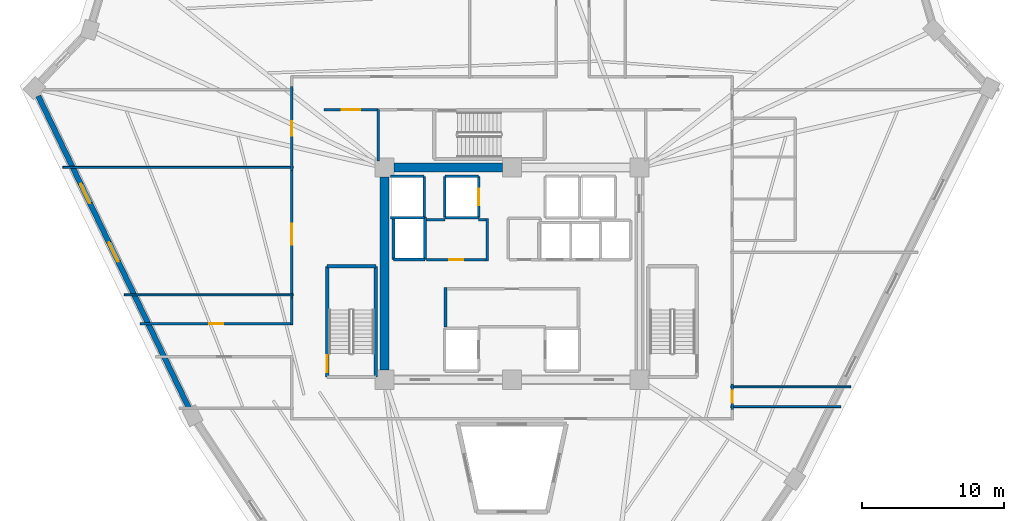
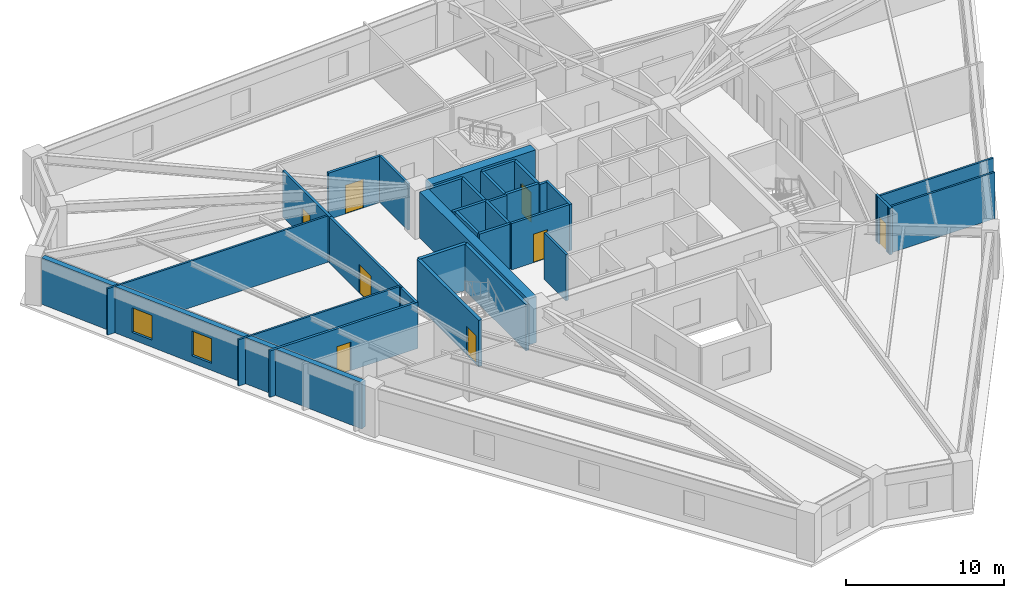
# One storey, part 4 of 8: 32 walls, 8 doors, 2 windows, 10 openings.
"""IFC4 building model written with IfcOpenShell, lengths in metres."""

from ifc_helpers import new_model, si_unit, direction, frame, frame_2d, origin, place, context, subcontext, project, spatial, rectangle, extrude, source, transform, mapped, material, layer, layer_set, type_object, element, fill, save


model = new_model("IFC4")

# Units and contexts
model_context = context("Model", 3, precision=1e-05, world=origin(), true_north=direction((0.0, 1.0)))
body_context = subcontext(model_context, "Body", "Model", "MODEL_VIEW")
ifc_project = project(units=[si_unit("LENGTHUNIT", "METRE"), si_unit("AREAUNIT", "SQUARE_METRE"), si_unit("VOLUMEUNIT", "CUBIC_METRE"), si_unit("PLANEANGLEUNIT", "RADIAN"), si_unit("MASSUNIT", "GRAM", prefix="KILO")], contexts=[model_context])

# Site, building, storey
site_placement = place(None, origin())
site = spatial("IfcSite", under=ifc_project, at=site_placement, CompositionType="ELEMENT")
building_placement = place(site_placement, origin())
building = spatial("IfcBuilding", under=site, at=building_placement, Name="Liaohun Quay Tower", CompositionType="ELEMENT")
storey_placement = place(building_placement, frame((0.0, 0.0, 201.75)))
storey = spatial("IfcBuildingStorey", under=building, at=storey_placement, Name="L52", CompositionType="ELEMENT", Elevation=201.75)

# Walls
ifc_material_1 = material(Name="Concrete C55", Category="concrete")
ifc_layer_1 = layer(ifc_material_1, 0.64990234375, Name="Concrete C55", Category="concrete")
ifc_layer_set_1 = layer_set([ifc_layer_1], Name="Concrete C55")
wall_type_1 = type_object("IfcWallType", Name="WAL-COR-Z3", PredefinedType="SHEAR", material=ifc_layer_set_1)
wall_1_placement = place(storey_placement, frame((51.675048828125, 61.5, 0.0), z_axis=(0.0, 0.0, 1.0), x_axis=(1.0, 0.0, 0.0)))
element("IfcWall", 1, at=wall_1_placement, inside=storey, type_object=wall_type_1, Name="L52 Central Core Shear Wall N-W", PredefinedType="SHEAR", context=body_context, shape_type="SweptSolid", body=[
    extrude(rectangle(XDim=7.64990234375, YDim=0.64990234375, at=frame_2d((3.824951171875, 0.0))), origin(), (0.0, 0.0, 1.0), 3.570068359375),
])
wall_2_placement = place(storey_placement, frame((51.0, 47.175048828125, 0.0), z_axis=(0.0, 0.0, 1.0), x_axis=(0.0, 1.0, 0.0)))
element("IfcWall", 2, at=wall_2_placement, inside=storey, type_object=wall_type_1, Name="L52 Central Core Shear Wall W", PredefinedType="SHEAR", context=body_context, shape_type="SweptSolid", body=[
    extrude(rectangle(XDim=13.64990234375, YDim=0.64990234375, at=frame_2d((6.824951171875, 0.0))), origin(), (0.0, 0.0, 1.0), 3.570068359375),
])

# Wall, openings, windows
ifc_material_2 = material(Name="Precast concrete C50 insulated sandwich", Category="concrete")
ifc_layer_2 = layer(ifc_material_2, 0.3798828125, Name="Precast concrete C50 insulated sandwich", Category="concrete")
ifc_layer_set_2 = layer_set([ifc_layer_2], Name="Precast concrete C50 insulated sandwich")
wall_type_2 = type_object("IfcWallType", Name="WAL-EXT-Z34", PredefinedType="SOLIDWALL", material=ifc_layer_set_2)
wall_3_placement = place(storey_placement, frame((26.52587890625, 66.549072265625, 0.0), z_axis=(0.0, 0.0, 1.0), x_axis=(0.434865153575, -0.900495584779, 0.0)))
wall_3 = element("IfcWall", 3, at=wall_3_placement, inside=storey, type_object=wall_type_2, Name="L52 Brutalist Precast Pier Wall 10", PredefinedType="SOLIDWALL", context=body_context, shape_type="SweptSolid", body=[
    extrude(rectangle(XDim=24.46533203125, YDim=0.3798828125, at=frame_2d((12.232666015625, 0.0))), origin(), (0.0, 0.0, 1.0), 3.570068359375),
])
shared_shape_1 = source(origin(), body_context, "Body", "SweptSolid", [
    extrude(rectangle(XDim=1.5, YDim=1.89990234375, at=frame_2d((0.75, 0.949951171875))), frame((0.0, 0.199951171875, 0.0), z_axis=(0.0, -1.0, 0.0), x_axis=(1.0, 0.0, 0.0)), (0.0, 0.0, 1.0), 0.39990234375),
])
opening_1_placement = place(wall_3_placement, frame((6.916015625, 0.0, 0.550048828125)))
opening_1 = element("IfcOpeningElement", 4, at=opening_1_placement, cuts=wall_3, Name="Opening W03", PredefinedType="OPENING", context=body_context, shape_type="MappedRepresentation", body=[
    mapped(shared_shape_1, transform((0.0, 0.0, 0.0), x_axis=(1.0, 0.0, 0.0), y_axis=(0.0, 1.0, 0.0), z_axis=(0.0, 0.0, 1.0), scale=1.0)),
])
opening_2_placement = place(wall_3_placement, frame((11.48291015625, 0.0, 0.550048828125)))
opening_2 = element("IfcOpeningElement", 5, at=opening_2_placement, cuts=wall_3, Name="Opening W03", PredefinedType="OPENING", context=body_context, shape_type="MappedRepresentation", body=[
    mapped(shared_shape_1, transform((0.0, 0.0, 0.0), x_axis=(1.0, 0.0, 0.0), y_axis=(0.0, 1.0, 0.0), z_axis=(0.0, 0.0, 1.0), scale=1.0)),
])
ifc_material_3 = material(Name="Triple Low-E argon glazing in thermally broken aluminium", Category="aluminium")
window_type = type_object("IfcWindowType", Name="WIN-PUN-Z3", PartitioningType="DOUBLE_PANEL_VERTICAL", PredefinedType="WINDOW", material=ifc_material_3)
shared_shape_2 = source(origin(), body_context, "Body", "SweptSolid", [
    extrude(rectangle(XDim=1.5, YDim=1.89990234375, at=frame_2d((0.75, 0.949951171875))), frame((0.0, 0.030029296875, 0.0), z_axis=(0.0, -1.0, 0.0), x_axis=(1.0, 0.0, 0.0)), (0.0, 0.0, 1.0), 0.06005859375),
])
window_1_placement = place(opening_1_placement, origin())
window_1 = element("IfcWindow", 6, at=window_1_placement, inside=storey, type_object=window_type, Name="L52 Recessed Cold-Climate Punched Window 10-1", OverallHeight=1.89990234375, OverallWidth=1.5, PartitioningType="DOUBLE_PANEL_VERTICAL", PredefinedType="WINDOW", context=body_context, shape_type="MappedRepresentation", body=[
    mapped(shared_shape_2, transform((0.0, 0.0, 0.0), x_axis=(1.0, 0.0, 0.0), y_axis=(0.0, 1.0, 0.0), z_axis=(0.0, 0.0, 1.0), scale=1.0)),
])
fill(opening_1, window_1)
window_2_placement = place(opening_2_placement, origin())
window_2 = element("IfcWindow", 7, at=window_2_placement, inside=storey, type_object=window_type, Name="L52 Recessed Cold-Climate Punched Window 10-2", OverallHeight=1.89990234375, OverallWidth=1.5, PartitioningType="DOUBLE_PANEL_VERTICAL", PredefinedType="WINDOW", context=body_context, shape_type="MappedRepresentation", body=[
    mapped(shared_shape_2, transform((0.0, 0.0, 0.0), x_axis=(1.0, 0.0, 0.0), y_axis=(0.0, 1.0, 0.0), z_axis=(0.0, 0.0, 1.0), scale=1.0)),
])
fill(opening_2, window_2)

# Wall, opening, door
ifc_material_4 = material(Name="Autoclaved aerated concrete blockwork", Category="masonry")
ifc_layer_3 = layer(ifc_material_4, 0.179931640625, Name="Autoclaved aerated concrete blockwork", Category="masonry")
ifc_layer_set_3 = layer_set([ifc_layer_3], Name="Autoclaved aerated concrete blockwork")
wall_type_3 = type_object("IfcWallType", Name="WAL-PRT-COR", PredefinedType="PARTITIONING", material=ifc_layer_set_3)
wall_4_placement = place(storey_placement, frame((53.949951171875, 54.97998046875, 0.0), z_axis=(0.0, 0.0, 1.0), x_axis=(1.0, 0.0, 0.0)))
wall_4 = element("IfcWall", 8, at=wall_4_placement, inside=storey, type_object=wall_type_3, Name="L52 Interior Partition Wall 002", PredefinedType="PARTITIONING", context=body_context, shape_type="SweptSolid", body=[
    extrude(rectangle(XDim=4.2099609375, YDim=0.179931640625, at=frame_2d((2.10498046875, 0.0))), origin(), (0.0, 0.0, 1.0), 3.570068359375),
])
shared_shape_3 = source(origin(), body_context, "Body", "SweptSolid", [
    extrude(rectangle(XDim=1.0, YDim=2.199951171875, at=frame_2d((0.5, 1.10009765625))), frame((0.0, 0.099853515625, 0.0), z_axis=(0.0, -1.0, 0.0), x_axis=(1.0, 0.0, 0.0)), (0.0, 0.0, 1.0), 0.199951171875),
])
opening_3_placement = place(wall_4_placement, frame((1.60009765625, 0.0, 0.0)))
opening_3 = element("IfcOpeningElement", 9, at=opening_3_placement, cuts=wall_4, Name="Opening OD1", PredefinedType="OPENING", context=body_context, shape_type="MappedRepresentation", body=[
    mapped(shared_shape_3, transform((0.0, 0.0, 0.0), x_axis=(1.0, 0.0, 0.0), y_axis=(0.0, 1.0, 0.0), z_axis=(0.0, 0.0, 1.0), scale=1.0)),
])
ifc_material_5 = material(Name="Solid-core oak veneer timber leaf in steel frame", Category="steel")
door_type_1 = type_object("IfcDoorType", Name="DOR-OFF-1000", OperationType="NOTDEFINED", PredefinedType="DOOR", material=ifc_material_5)
shared_shape_4 = source(origin(), body_context, "Body", "SweptSolid", [
    extrude(rectangle(XDim=1.0, YDim=2.199951171875, at=frame_2d((0.5, 1.10009765625))), frame((0.0, 0.02490234375, 0.0), z_axis=(0.0, -1.0, 0.0), x_axis=(1.0, 0.0, 0.0)), (0.0, 0.0, 1.0), 0.050048828125),
])
door_1_placement = place(opening_3_placement, origin())
door_1 = element("IfcDoor", 10, at=door_1_placement, inside=storey, type_object=door_type_1, Name="L52 Core Staff Pantry and Tea Room Door", OperationType="SINGLE_SWING_LEFT", OverallHeight=2.199951171875, OverallWidth=1.0, PredefinedType="DOOR", context=body_context, shape_type="MappedRepresentation", body=[
    mapped(shared_shape_4, transform((0.0, 0.0, 0.0), x_axis=(1.0, 0.0, 0.0), y_axis=(0.0, 1.0, 0.0), z_axis=(0.0, 0.0, 1.0), scale=1.0)),
])
fill(opening_3, door_1)

wall_5_placement = place(storey_placement, frame((46.699951171875, 65.580078125, 0.0), z_axis=(0.0, 0.0, 1.0), x_axis=(1.0, 0.0, 0.0)))
wall_5 = element("IfcWall", 11, at=wall_5_placement, inside=storey, type_object=wall_type_3, Name="L52 Interior Partition Wall 009", PredefinedType="PARTITIONING", context=body_context, shape_type="SweptSolid", body=[
    extrude(rectangle(XDim=3.840087890625, YDim=0.179931640625, at=frame_2d((1.919921875, 0.0))), origin(), (0.0, 0.0, 1.0), 3.570068359375),
])
shared_shape_5 = source(origin(), body_context, "Body", "SweptSolid", [
    extrude(rectangle(XDim=1.300048828125, YDim=2.199951171875, at=frame_2d((0.64990234375, 1.10009765625))), frame((0.0, 0.099853515625, 0.0), z_axis=(0.0, -1.0, 0.0), x_axis=(1.0, 0.0, 0.0)), (0.0, 0.0, 1.0), 0.199951171875),
])
opening_4_placement = place(wall_5_placement, frame((1.27001953125, 0.0, 0.0)))
opening_4 = element("IfcOpeningElement", 12, at=opening_4_placement, cuts=wall_5, Name="Opening FD1", PredefinedType="OPENING", context=body_context, shape_type="MappedRepresentation", body=[
    mapped(shared_shape_5, transform((0.0, 0.0, 0.0), x_axis=(1.0, 0.0, 0.0), y_axis=(0.0, 1.0, 0.0), z_axis=(0.0, 0.0, 1.0), scale=1.0)),
])
ifc_material_6 = material(Name="Galvanised steel smokeproof fire door", Category="steel")
door_type_2 = type_object("IfcDoorType", Name="DOR-FFL-1300", OperationType="NOTDEFINED", PredefinedType="DOOR", material=ifc_material_6)
shared_shape_6 = source(origin(), body_context, "Body", "SweptSolid", [
    extrude(rectangle(XDim=1.300048828125, YDim=2.199951171875, at=frame_2d((0.64990234375, 1.10009765625))), frame((0.0, 0.02490234375, 0.0), z_axis=(0.0, -1.0, 0.0), x_axis=(1.0, 0.0, 0.0)), (0.0, 0.0, 1.0), 0.050048828125),
])
door_2_placement = place(opening_4_placement, origin())
door_2 = element("IfcDoor", 13, at=door_2_placement, inside=storey, type_object=door_type_2, Name="L52 West Core Vestibule Door", OperationType="SINGLE_SWING_RIGHT", OverallHeight=2.199951171875, OverallWidth=1.300048828125, PredefinedType="DOOR", context=body_context, shape_type="MappedRepresentation", body=[
    mapped(shared_shape_6, transform((0.0, 0.0, 0.0), x_axis=(1.0, 0.0, 0.0), y_axis=(0.0, 1.0, 0.0), z_axis=(0.0, 0.0, 1.0), scale=1.0)),
])
fill(opening_4, door_2)

wall_6_placement = place(storey_placement, frame((44.43994140625, 61.284912109375, 0.0), z_axis=(0.0, 0.0, 1.0), x_axis=(0.0, 1.0, 0.0)))
wall_6 = element("IfcWall", 14, at=wall_6_placement, inside=storey, type_object=wall_type_3, Name="L52 Interior Partition Wall 016", PredefinedType="PARTITIONING", context=body_context, shape_type="SweptSolid", body=[
    extrude(rectangle(XDim=5.93017578125, YDim=0.179931640625, at=frame_2d((2.965087890625, 0.0))), origin(), (0.0, 0.0, 1.0), 3.570068359375),
])
opening_5_placement = place(wall_6_placement, frame((2.465087890625, 0.0, 0.0)))
opening_5 = element("IfcOpeningElement", 15, at=opening_5_placement, cuts=wall_6, Name="Opening OD1", PredefinedType="OPENING", context=body_context, shape_type="MappedRepresentation", body=[
    mapped(shared_shape_3, transform((0.0, 0.0, 0.0), x_axis=(1.0, 0.0, 0.0), y_axis=(0.0, 1.0, 0.0), z_axis=(0.0, 0.0, 1.0), scale=1.0)),
])
door_3_placement = place(opening_5_placement, origin())
door_3 = element("IfcDoor", 16, at=door_3_placement, inside=storey, type_object=door_type_1, Name="L52 Staff Tea Kitchen and Pantry 06 Door", OperationType="SINGLE_SWING_LEFT", OverallHeight=2.199951171875, OverallWidth=1.0, PredefinedType="DOOR", context=body_context, shape_type="MappedRepresentation", body=[
    mapped(shared_shape_4, transform((0.0, 0.0, 0.0), x_axis=(1.0, 0.0, 0.0), y_axis=(0.0, 1.0, 0.0), z_axis=(0.0, 0.0, 1.0), scale=1.0)),
])
fill(opening_5, door_3)

wall_7_placement = place(storey_placement, frame((44.43994140625, 52.284912109375, 0.0), z_axis=(0.0, 0.0, 1.0), x_axis=(0.0, 1.0, 0.0)))
wall_7 = element("IfcWall", 17, at=wall_7_placement, inside=storey, type_object=wall_type_3, Name="L52 Interior Partition Wall 017", PredefinedType="PARTITIONING", context=body_context, shape_type="SweptSolid", body=[
    extrude(rectangle(XDim=9.0, YDim=0.179931640625, at=frame_2d((4.5, 0.0))), origin(), (0.0, 0.0, 1.0), 3.570068359375),
])
shared_shape_7 = source(origin(), body_context, "Body", "SweptSolid", [
    extrude(rectangle(XDim=1.5, YDim=2.199951171875, at=frame_2d((0.75, 1.10009765625))), frame((0.0, 0.099853515625, 0.0), z_axis=(0.0, -1.0, 0.0), x_axis=(1.0, 0.0, 0.0)), (0.0, 0.0, 1.0), 0.199951171875),
])
opening_6_placement = place(wall_7_placement, frame((3.75, 0.0, 0.0)))
opening_6 = element("IfcOpeningElement", 18, at=opening_6_placement, cuts=wall_7, Name="Opening OD2", PredefinedType="OPENING", context=body_context, shape_type="MappedRepresentation", body=[
    mapped(shared_shape_7, transform((0.0, 0.0, 0.0), x_axis=(1.0, 0.0, 0.0), y_axis=(0.0, 1.0, 0.0), z_axis=(0.0, 0.0, 1.0), scale=1.0)),
])
ifc_material_7 = material(Name="Acoustic oak veneer double door")
door_type_3 = type_object("IfcDoorType", Name="DOR-OFF-1500", OperationType="DOUBLE_DOOR_SINGLE_SWING", PredefinedType="DOOR", material=ifc_material_7)
shared_shape_8 = source(origin(), body_context, "Body", "SweptSolid", [
    extrude(rectangle(XDim=1.5, YDim=2.199951171875, at=frame_2d((0.75, 1.10009765625))), frame((0.0, 0.02490234375, 0.0), z_axis=(0.0, -1.0, 0.0), x_axis=(1.0, 0.0, 0.0)), (0.0, 0.0, 1.0), 0.050048828125),
])
door_4_placement = place(opening_6_placement, origin())
door_4 = element("IfcDoor", 19, at=door_4_placement, inside=storey, type_object=door_type_3, Name="L52 Staff Daycare Nursery 07 Door", OperationType="DOUBLE_DOOR_SINGLE_SWING", OverallHeight=2.199951171875, OverallWidth=1.5, PredefinedType="DOOR", context=body_context, shape_type="MappedRepresentation", body=[
    mapped(shared_shape_8, transform((0.0, 0.0, 0.0), x_axis=(1.0, 0.0, 0.0), y_axis=(0.0, 1.0, 0.0), z_axis=(0.0, 0.0, 1.0), scale=1.0)),
])
fill(opening_6, door_4)

wall_8_placement = place(storey_placement, frame((33.7041015625, 50.4599609375, 0.0), z_axis=(0.0, 0.0, 1.0), x_axis=(1.0, 0.0, 0.0)))
wall_8 = element("IfcWall", 20, at=wall_8_placement, inside=storey, type_object=wall_type_3, Name="L52 Interior Partition Wall 018", PredefinedType="PARTITIONING", context=body_context, shape_type="SweptSolid", body=[
    extrude(rectangle(XDim=10.805908203125, YDim=0.179931640625, at=frame_2d((5.40283203125, 0.0))), origin(), (0.0, 0.0, 1.0), 3.570068359375),
])
opening_7_placement = place(wall_8_placement, frame((4.903076171875, 0.0, 0.0)))
opening_7 = element("IfcOpeningElement", 21, at=opening_7_placement, cuts=wall_8, Name="Opening OD1", PredefinedType="OPENING", context=body_context, shape_type="MappedRepresentation", body=[
    mapped(shared_shape_3, transform((0.0, 0.0, 0.0), x_axis=(1.0, 0.0, 0.0), y_axis=(0.0, 1.0, 0.0), z_axis=(0.0, 0.0, 1.0), scale=1.0)),
])
door_5_placement = place(opening_7_placement, origin())
door_5 = element("IfcDoor", 22, at=door_5_placement, inside=storey, type_object=door_type_1, Name="L52 Occupational Wellness Clinic 08 Door", OperationType="SINGLE_SWING_LEFT", OverallHeight=2.199951171875, OverallWidth=1.0, PredefinedType="DOOR", context=body_context, shape_type="MappedRepresentation", body=[
    mapped(shared_shape_4, transform((0.0, 0.0, 0.0), x_axis=(1.0, 0.0, 0.0), y_axis=(0.0, 1.0, 0.0), z_axis=(0.0, 0.0, 1.0), scale=1.0)),
])
fill(opening_7, door_5)

wall_9_placement = place(storey_placement, frame((75.56005859375, 46.215087890625, 0.0), z_axis=(0.0, 0.0, 1.0), x_axis=(0.0, -1.0, 0.0)))
wall_9 = element("IfcWall", 23, at=wall_9_placement, inside=storey, type_object=wall_type_3, Name="L52 Interior Partition Wall 021", PredefinedType="PARTITIONING", context=body_context, shape_type="SweptSolid", body=[
    extrude(rectangle(XDim=1.830078125, YDim=0.179931640625, at=frame_2d((0.9150390625, 0.0))), origin(), (0.0, 0.0, 1.0), 3.570068359375),
])
shared_shape_9 = source(origin(), body_context, "Body", "SweptSolid", [
    extrude(rectangle(XDim=0.85009765625, YDim=2.10009765625, at=frame_2d((0.425048828125, 1.050048828125))), frame((0.0, 0.099853515625, 0.0), z_axis=(0.0, -1.0, 0.0), x_axis=(1.0, 0.0, 0.0)), (0.0, 0.0, 1.0), 0.199951171875),
])
opening_8_placement = place(wall_9_placement, frame((0.489990234375, 0.0, 0.0)))
opening_8 = element("IfcOpeningElement", 24, at=opening_8_placement, cuts=wall_9, Name="Opening AD1", PredefinedType="OPENING", context=body_context, shape_type="MappedRepresentation", body=[
    mapped(shared_shape_9, transform((0.0, 0.0, 0.0), x_axis=(1.0, 0.0, 0.0), y_axis=(0.0, 1.0, 0.0), z_axis=(0.0, 0.0, 1.0), scale=1.0)),
])
ifc_material_8 = material(Name="Steel riser inspection fire door", Category="steel")
door_type_4 = type_object("IfcDoorType", Name="DOR-SHF-850", OperationType="NOTDEFINED", PredefinedType="DOOR", material=ifc_material_8)
shared_shape_10 = source(origin(), body_context, "Body", "SweptSolid", [
    extrude(rectangle(XDim=0.85009765625, YDim=2.10009765625, at=frame_2d((0.425048828125, 1.050048828125))), frame((0.0, 0.02490234375, 0.0), z_axis=(0.0, -1.0, 0.0), x_axis=(1.0, 0.0, 0.0)), (0.0, 0.0, 1.0), 0.050048828125),
])
door_6_placement = place(opening_8_placement, origin())
door_6 = element("IfcDoor", 25, at=door_6_placement, inside=storey, type_object=door_type_4, Name="L52 Executive Partner Office 11 Door", OperationType="SINGLE_SWING_RIGHT", OverallHeight=2.10009765625, OverallWidth=0.85009765625, PredefinedType="DOOR", context=body_context, shape_type="MappedRepresentation", body=[
    mapped(shared_shape_10, transform((0.0, 0.0, 0.0), x_axis=(1.0, 0.0, 0.0), y_axis=(0.0, 1.0, 0.0), z_axis=(0.0, 0.0, 1.0), scale=1.0)),
])
fill(opening_8, door_6)

# Walls
wall_10_placement = place(storey_placement, frame((50.5400390625, 61.949951171875, 0.0), z_axis=(0.0, 0.0, 1.0), x_axis=(0.0, 1.0, 0.0)))
element("IfcWall", 26, at=wall_10_placement, inside=storey, type_object=wall_type_3, Name="L52 Interior Partition Wall 031", PredefinedType="PARTITIONING", context=body_context, shape_type="SweptSolid", body=[
    extrude(rectangle(XDim=3.630126953125, YDim=0.179931640625, at=frame_2d((1.81494140625, 0.0))), origin(), (0.0, 0.0, 1.0), 3.570068359375),
])
wall_11_placement = place(storey_placement, frame((44.43994140625, 50.389892578125, 0.0), z_axis=(0.0, 0.0, 1.0), x_axis=(0.0, 1.0, 0.0)))
element("IfcWall", 27, at=wall_11_placement, inside=storey, type_object=wall_type_3, Name="L52 Interior Partition Wall 038", PredefinedType="PARTITIONING", context=body_context, shape_type="SweptSolid", body=[
    extrude(rectangle(XDim=1.89501953125, YDim=0.179931640625, at=frame_2d((0.947509765625, 0.0))), origin(), (0.0, 0.0, 1.0), 3.570068359375),
])
wall_12_placement = place(storey_placement, frame((55.300048828125, 50.219970703125, 0.0), z_axis=(0.0, 0.0, 1.0), x_axis=(0.0, 1.0, 0.0)))
element("IfcWall", 28, at=wall_12_placement, inside=storey, type_object=wall_type_3, Name="L52 Interior Partition Wall 052", PredefinedType="PARTITIONING", context=body_context, shape_type="SweptSolid", body=[
    extrude(rectangle(XDim=2.7900390625, YDim=0.179931640625, at=frame_2d((1.39501953125, 0.0))), origin(), (0.0, 0.0, 1.0), 3.570068359375),
])
wall_13_placement = place(storey_placement, frame((58.25, 54.889892578125, 0.0), z_axis=(0.0, 0.0, 1.0), x_axis=(0.0, 1.0, 0.0)))
element("IfcWall", 29, at=wall_13_placement, inside=storey, type_object=wall_type_3, Name="L52 Interior Partition Wall 055", PredefinedType="PARTITIONING", context=body_context, shape_type="SweptSolid", body=[
    extrude(rectangle(XDim=3.02001953125, YDim=0.179931640625, at=frame_2d((1.510009765625, 0.0))), origin(), (0.0, 0.0, 1.0), 3.570068359375),
])
wall_14_placement = place(storey_placement, frame((53.949951171875, 57.820068359375, 0.0), z_axis=(0.0, 0.0, 1.0), x_axis=(1.0, 0.0, 0.0)))
element("IfcWall", 30, at=wall_14_placement, inside=storey, type_object=wall_type_3, Name="L52 Interior Partition Wall 056", PredefinedType="PARTITIONING", context=body_context, shape_type="SweptSolid", body=[
    extrude(rectangle(XDim=1.300048828125, YDim=0.179931640625, at=frame_2d((0.64990234375, 0.0))), origin(), (0.0, 0.0, 1.0), 3.570068359375),
])
wall_15_placement = place(storey_placement, frame((57.64990234375, 57.820068359375, 0.0), z_axis=(0.0, 0.0, 1.0), x_axis=(1.0, 0.0, 0.0)))
element("IfcWall", 31, at=wall_15_placement, inside=storey, type_object=wall_type_3, Name="L52 Interior Partition Wall 057", PredefinedType="PARTITIONING", context=body_context, shape_type="SweptSolid", body=[
    extrude(rectangle(XDim=0.510009765625, YDim=0.179931640625, at=frame_2d((0.2548828125, 0.0))), origin(), (0.0, 0.0, 1.0), 3.570068359375),
])
ifc_material_9 = material(Name="Gypsum board on twin steel studs", Category="steel")
ifc_layer_4 = layer(ifc_material_9, 0.139892578125, Name="Gypsum board on twin steel studs", Category="steel")
ifc_layer_set_4 = layer_set([ifc_layer_4], Name="Gypsum board on twin steel studs")
wall_type_4 = type_object("IfcWallType", Name="WAL-PRT-OFF", PredefinedType="PARTITIONING", material=ifc_layer_set_4)
wall_16_placement = place(storey_placement, frame((44.5400390625, 52.5, 0.0), z_axis=(0.0, 0.0, 1.0), x_axis=(-1.0, 0.0, 0.0)))
element("IfcWall", 32, at=wall_16_placement, inside=storey, type_object=wall_type_4, Name="L52 Interior Partition Wall 043", PredefinedType="PARTITIONING", context=body_context, shape_type="SweptSolid", body=[
    extrude(rectangle(XDim=11.928955078125, YDim=0.139892578125, at=frame_2d((5.96435546875, 0.0))), origin(), (0.0, 0.0, 1.0), 3.570068359375),
])
wall_17_placement = place(storey_placement, frame((44.5400390625, 61.5, 0.0), z_axis=(0.0, 0.0, 1.0), x_axis=(-1.0, 0.0, 0.0)))
element("IfcWall", 33, at=wall_17_placement, inside=storey, type_object=wall_type_4, Name="L52 Interior Partition Wall 044", PredefinedType="PARTITIONING", context=body_context, shape_type="SweptSolid", body=[
    extrude(rectangle(XDim=16.275146484375, YDim=0.139892578125, at=frame_2d((8.1376953125, 0.0))), origin(), (0.0, 0.0, 1.0), 3.570068359375),
])
wall_18_placement = place(storey_placement, frame((75.4599609375, 44.60009765625, 0.0), z_axis=(0.0, 0.0, 1.0), x_axis=(1.0, 0.0, 0.0)))
element("IfcWall", 34, at=wall_18_placement, inside=storey, type_object=wall_type_4, Name="L52 Interior Partition Wall 046", PredefinedType="PARTITIONING", context=body_context, shape_type="SweptSolid", body=[
    extrude(rectangle(XDim=7.77099609375, YDim=0.139892578125, at=frame_2d((3.885498046875, 0.0))), origin(), (0.0, 0.0, 1.0), 3.570068359375),
])
wall_19_placement = place(storey_placement, frame((75.4599609375, 46.0, 0.0), z_axis=(0.0, 0.0, 1.0), x_axis=(1.0, 0.0, 0.0)))
element("IfcWall", 35, at=wall_19_placement, inside=storey, type_object=wall_type_4, Name="L52 Interior Partition Wall 047", PredefinedType="PARTITIONING", context=body_context, shape_type="SweptSolid", body=[
    extrude(rectangle(XDim=8.468017578125, YDim=0.139892578125, at=frame_2d((4.23388671875, 0.0))), origin(), (0.0, 0.0, 1.0), 3.570068359375),
])
ifc_material_10 = material(Name="Concrete C50", Category="concrete")
ifc_layer_5 = layer(ifc_material_10, 0.239990234375, Name="Concrete C50", Category="concrete")
ifc_layer_set_5 = layer_set([ifc_layer_5], Name="Concrete C50")
wall_type_5 = type_object("IfcWallType", Name="WAL-SHF-200", PredefinedType="SOLIDWALL", material=ifc_layer_set_5)
wall_20_placement = place(storey_placement, frame((50.3798828125, 46.699951171875, 0.0), z_axis=(0.0, 0.0, 1.0), x_axis=(0.0, 1.0, 0.0)))
element("IfcWall", 36, at=wall_20_placement, inside=storey, type_object=wall_type_5, Name="L52 Stairwell ST-1 Structural Core Wall E", PredefinedType="SOLIDWALL", context=body_context, shape_type="SweptSolid", body=[
    extrude(rectangle(XDim=7.820068359375, YDim=0.239990234375, at=frame_2d((3.91015625, 0.0))), origin(), (0.0, 0.0, 1.0), 3.570068359375),
])
wall_21_placement = place(storey_placement, frame((50.3798828125, 54.52001953125, 0.0), z_axis=(0.0, 0.0, 1.0), x_axis=(-1.0, 0.0, 0.0)))
element("IfcWall", 37, at=wall_21_placement, inside=storey, type_object=wall_type_5, Name="L52 Stairwell ST-1 Structural Core Wall N", PredefinedType="SOLIDWALL", context=body_context, shape_type="SweptSolid", body=[
    extrude(rectangle(XDim=3.43994140625, YDim=0.239990234375, at=frame_2d((1.719970703125, 0.0))), origin(), (0.0, 0.0, 1.0), 3.570068359375),
])

# Wall, opening, door
wall_22_placement = place(storey_placement, frame((46.93994140625, 54.52001953125, 0.0), z_axis=(0.0, 0.0, 1.0), x_axis=(0.0, -1.0, 0.0)))
wall_22 = element("IfcWall", 38, at=wall_22_placement, inside=storey, type_object=wall_type_5, Name="L52 Stairwell ST-1 Structural Core Wall W", PredefinedType="SOLIDWALL", context=body_context, shape_type="SweptSolid", body=[
    extrude(rectangle(XDim=7.820068359375, YDim=0.239990234375, at=frame_2d((3.91015625, 0.0))), origin(), (0.0, 0.0, 1.0), 3.570068359375),
])
shared_shape_11 = source(origin(), body_context, "Body", "SweptSolid", [
    extrude(rectangle(XDim=1.199951171875, YDim=2.199951171875, at=frame_2d((0.60009765625, 1.10009765625))), frame((0.0, 0.1298828125, 0.0), z_axis=(0.0, -1.0, 0.0), x_axis=(1.0, 0.0, 0.0)), (0.0, 0.0, 1.0), 0.260009765625),
])
opening_9_placement = place(wall_22_placement, frame((6.300048828125, 0.0, 0.0)))
opening_9 = element("IfcOpeningElement", 39, at=opening_9_placement, cuts=wall_22, Name="Opening SD1", PredefinedType="OPENING", context=body_context, shape_type="MappedRepresentation", body=[
    mapped(shared_shape_11, transform((0.0, 0.0, 0.0), x_axis=(1.0, 0.0, 0.0), y_axis=(0.0, 1.0, 0.0), z_axis=(0.0, 0.0, 1.0), scale=1.0)),
])
ifc_material_11 = material(Name="Galvanised steel fire door", Category="steel")
door_type_5 = type_object("IfcDoorType", Name="DOR-STR-1200", OperationType="NOTDEFINED", PredefinedType="DOOR", material=ifc_material_11)
shared_shape_12 = source(origin(), body_context, "Body", "SweptSolid", [
    extrude(rectangle(XDim=1.199951171875, YDim=2.199951171875, at=frame_2d((0.60009765625, 1.10009765625))), frame((0.0, 0.02490234375, 0.0), z_axis=(0.0, -1.0, 0.0), x_axis=(1.0, 0.0, 0.0)), (0.0, 0.0, 1.0), 0.050048828125),
])
door_7_placement = place(opening_9_placement, origin())
door_7 = element("IfcDoor", 40, at=door_7_placement, inside=storey, type_object=door_type_5, Name="L52 Protected Stair ST-1 Fire Door", OperationType="SINGLE_SWING_LEFT", OverallHeight=2.199951171875, OverallWidth=1.199951171875, PredefinedType="DOOR", context=body_context, shape_type="MappedRepresentation", body=[
    mapped(shared_shape_12, transform((0.0, 0.0, 0.0), x_axis=(1.0, 0.0, 0.0), y_axis=(0.0, 1.0, 0.0), z_axis=(0.0, 0.0, 1.0), scale=1.0)),
])
fill(opening_9, door_7)

# Wall
wall_23_placement = place(storey_placement, frame((55.25, 57.949951171875, 0.0), z_axis=(0.0, 0.0, 1.0), x_axis=(1.0, 0.0, 0.0)))
element("IfcWall", 41, at=wall_23_placement, inside=storey, type_object=wall_type_5, Name="L52 Lift FF-03 Hoistway Wall S", PredefinedType="SOLIDWALL", context=body_context, shape_type="SweptSolid", body=[
    extrude(rectangle(XDim=2.39990234375, YDim=0.199951171875, at=frame_2d((1.199951171875, 0.0))), origin(), (0.0, 0.0, 1.0), 3.570068359375),
])

# Wall, opening, door
wall_24_placement = place(storey_placement, frame((57.64990234375, 57.949951171875, 0.0), z_axis=(0.0, 0.0, 1.0), x_axis=(0.0, 1.0, 0.0)))
wall_24 = element("IfcWall", 42, at=wall_24_placement, inside=storey, type_object=wall_type_5, Name="L52 Lift FF-03 Hoistway Wall E", PredefinedType="SOLIDWALL", context=body_context, shape_type="SweptSolid", body=[
    extrude(rectangle(XDim=2.929931640625, YDim=0.199951171875, at=frame_2d((1.46484375, 0.0))), origin(), (0.0, 0.0, 1.0), 3.570068359375),
])
shared_shape_13 = source(origin(), body_context, "Body", "SweptSolid", [
    extrude(rectangle(XDim=1.199951171875, YDim=2.300048828125, at=frame_2d((0.60009765625, 1.14990234375))), frame((0.0, 0.10986328125, 0.0), z_axis=(0.0, -1.0, 0.0), x_axis=(1.0, 0.0, 0.0)), (0.0, 0.0, 1.0), 0.219970703125),
])
opening_10_placement = place(wall_24_placement, frame((0.864990234375, 0.0, 0.0)))
opening_10 = element("IfcOpeningElement", 43, at=opening_10_placement, cuts=wall_24, Name="Opening LD2", PredefinedType="OPENING", context=body_context, shape_type="MappedRepresentation", body=[
    mapped(shared_shape_13, transform((0.0, 0.0, 0.0), x_axis=(1.0, 0.0, 0.0), y_axis=(0.0, 1.0, 0.0), z_axis=(0.0, 0.0, 1.0), scale=1.0)),
])
ifc_material_12 = material(Name="Brushed stainless steel stretcher landing door", Category="steel")
door_type_6 = type_object("IfcDoorType", Name="DOR-LFT-1200", OperationType="SLIDING_TO_LEFT", PredefinedType="DOOR", material=ifc_material_12)
shared_shape_14 = source(origin(), body_context, "Body", "SweptSolid", [
    extrude(rectangle(XDim=1.199951171875, YDim=2.300048828125, at=frame_2d((0.60009765625, 1.14990234375))), frame((0.0, 0.02490234375, 0.0), z_axis=(0.0, -1.0, 0.0), x_axis=(1.0, 0.0, 0.0)), (0.0, 0.0, 1.0), 0.050048828125),
])
door_8_placement = place(opening_10_placement, origin())
door_8 = element("IfcDoor", 44, at=door_8_placement, inside=storey, type_object=door_type_6, Name="L52 Lift FF-03 Sliding Landing Door", OperationType="SLIDING_TO_LEFT", OverallHeight=2.300048828125, OverallWidth=1.199951171875, PredefinedType="DOOR", context=body_context, shape_type="MappedRepresentation", body=[
    mapped(shared_shape_14, transform((0.0, 0.0, 0.0), x_axis=(1.0, 0.0, 0.0), y_axis=(0.0, 1.0, 0.0), z_axis=(0.0, 0.0, 1.0), scale=1.0)),
])
fill(opening_10, door_8)

# Walls
wall_25_placement = place(storey_placement, frame((57.64990234375, 60.8798828125, 0.0), z_axis=(0.0, 0.0, 1.0), x_axis=(-1.0, 0.0, 0.0)))
element("IfcWall", 45, at=wall_25_placement, inside=storey, type_object=wall_type_5, Name="L52 Lift FF-03 Hoistway Wall N", PredefinedType="SOLIDWALL", context=body_context, shape_type="SweptSolid", body=[
    extrude(rectangle(XDim=2.39990234375, YDim=0.199951171875, at=frame_2d((1.199951171875, 0.0))), origin(), (0.0, 0.0, 1.0), 3.570068359375),
])
wall_26_placement = place(storey_placement, frame((55.25, 60.8798828125, 0.0), z_axis=(0.0, 0.0, 1.0), x_axis=(0.0, -1.0, 0.0)))
element("IfcWall", 46, at=wall_26_placement, inside=storey, type_object=wall_type_5, Name="L52 Lift FF-03 Hoistway Wall W", PredefinedType="SOLIDWALL", context=body_context, shape_type="SweptSolid", body=[
    extrude(rectangle(XDim=2.929931640625, YDim=0.199951171875, at=frame_2d((1.46484375, 0.0))), origin(), (0.0, 0.0, 1.0), 3.570068359375),
])
wall_27_placement = place(storey_placement, frame((51.39990234375, 57.949951171875, 0.0), z_axis=(0.0, 0.0, 1.0), x_axis=(1.0, 0.0, 0.0)))
element("IfcWall", 47, at=wall_27_placement, inside=storey, type_object=wall_type_5, Name="L52 Lift SH-01 Hoistway Wall S", PredefinedType="SOLIDWALL", context=body_context, shape_type="SweptSolid", body=[
    extrude(rectangle(XDim=2.400146484375, YDim=0.199951171875, at=frame_2d((1.2001953125, 0.0))), origin(), (0.0, 0.0, 1.0), 3.570068359375),
])
wall_28_placement = place(storey_placement, frame((53.800048828125, 57.949951171875, 0.0), z_axis=(0.0, 0.0, 1.0), x_axis=(0.0, 1.0, 0.0)))
element("IfcWall", 48, at=wall_28_placement, inside=storey, type_object=wall_type_5, Name="L52 Lift SH-01 Hoistway Wall E", PredefinedType="SOLIDWALL", context=body_context, shape_type="SweptSolid", body=[
    extrude(rectangle(XDim=2.929931640625, YDim=0.199951171875, at=frame_2d((1.46484375, 0.0))), origin(), (0.0, 0.0, 1.0), 3.570068359375),
])
wall_29_placement = place(storey_placement, frame((53.800048828125, 60.8798828125, 0.0), z_axis=(0.0, 0.0, 1.0), x_axis=(-1.0, 0.0, 0.0)))
element("IfcWall", 49, at=wall_29_placement, inside=storey, type_object=wall_type_5, Name="L52 Lift SH-01 Hoistway Wall N", PredefinedType="SOLIDWALL", context=body_context, shape_type="SweptSolid", body=[
    extrude(rectangle(XDim=2.400146484375, YDim=0.199951171875, at=frame_2d((1.2001953125, 0.0))), origin(), (0.0, 0.0, 1.0), 3.570068359375),
])
wall_30_placement = place(storey_placement, frame((51.6201171875, 55.0, 0.0), z_axis=(0.0, 0.0, 1.0), x_axis=(1.0, 0.0, 0.0)))
element("IfcWall", 50, at=wall_30_placement, inside=storey, type_object=wall_type_5, Name="L52 Lift SH-02 Hoistway Wall S", PredefinedType="SOLIDWALL", context=body_context, shape_type="SweptSolid", body=[
    extrude(rectangle(XDim=2.22998046875, YDim=0.199951171875, at=frame_2d((1.114990234375, 0.0))), origin(), (0.0, 0.0, 1.0), 3.570068359375),
])
for number, where, z_axis, x_axis, name in (
    (51, (53.85009765625, 55.0, 0.0), (0.0, 0.0, 1.0), (0.0, 1.0, 0.0), "L52 Lift SH-02 Hoistway Wall E"),
    (52, (51.6201171875, 58.0, 0.0), (0.0, 0.0, 1.0), (0.0, -1.0, 0.0), "L52 Lift SH-02 Hoistway Wall W"),
):
    element("IfcWall", number, at=place(storey_placement, frame(where, z_axis=z_axis, x_axis=x_axis)), inside=storey, type_object=wall_type_5, Name=name, PredefinedType="SOLIDWALL", context=body_context, shape_type="SweptSolid", body=[
        extrude(rectangle(XDim=3.0, YDim=0.199951171875, at=frame_2d((1.5, 0.0))), origin(), (0.0, 0.0, 1.0), 3.570068359375),
    ])

save(model, "model.ifc")
